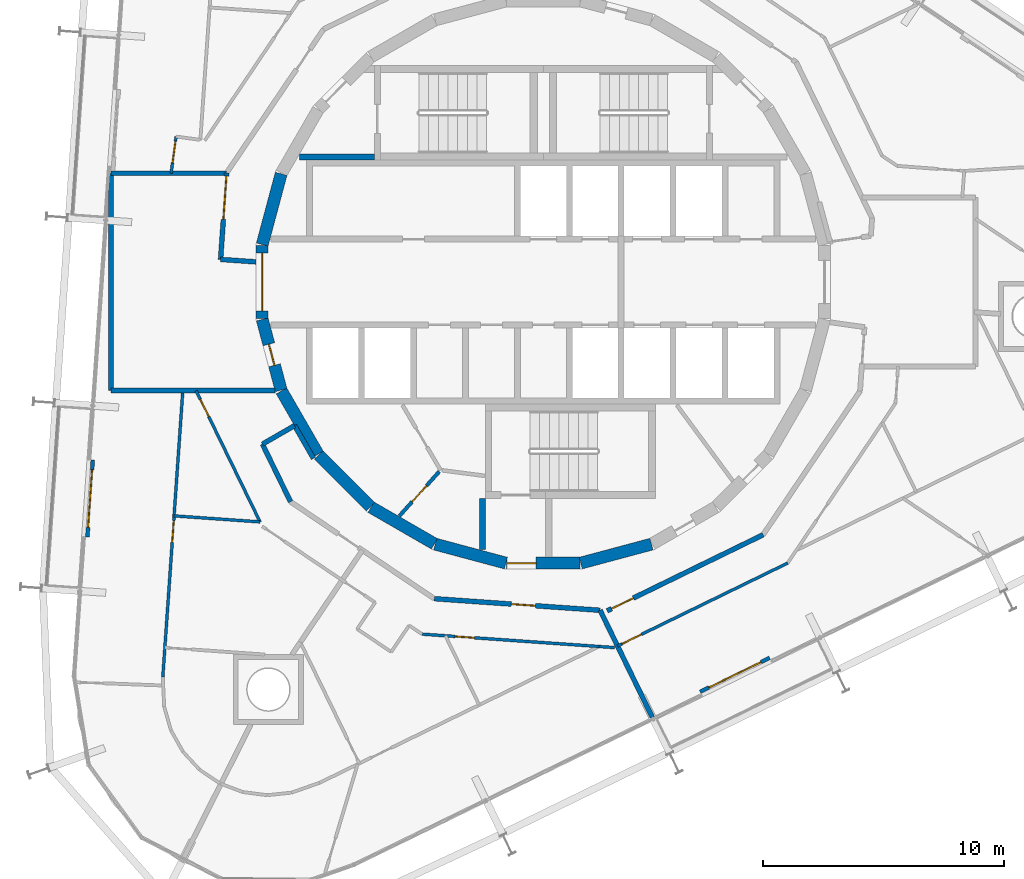
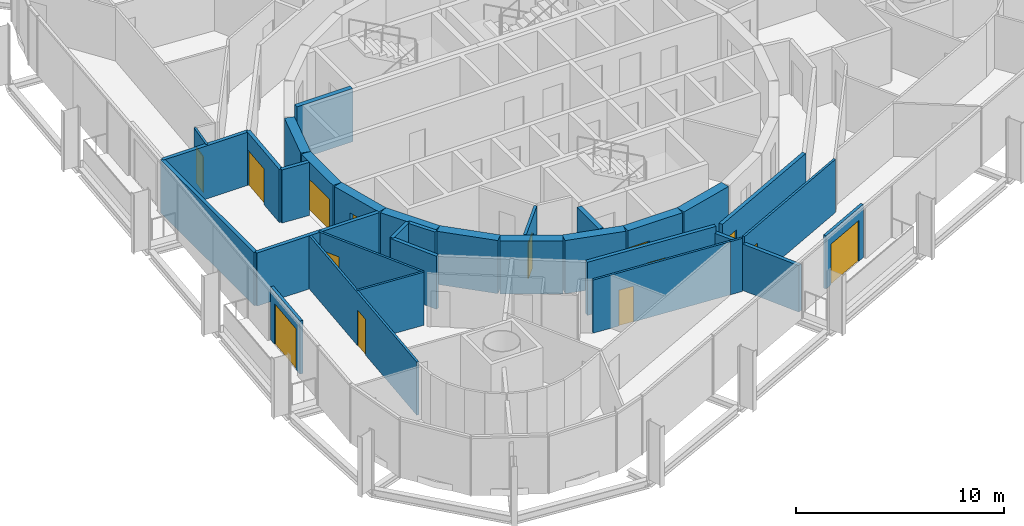
# One storey, part 12 of 18: 32 walls, 14 doors, 14 openings.
"""IFC4 building model written with IfcOpenShell, lengths in metres."""

import ifcopenshell
import ifcopenshell.guid

model = None  # the IFC model being written
_history = None  # IfcOwnerHistory: only IFC2X3 demands one
_inside = {}  # id of a spatial element -> (the spatial element, [elements in it])
_under = {}  # id of a project, library or spatial element -> (it, [spatial elements below it])
_declared = {}  # id of a project -> (the project, [libraries it declares])
_typed = {}  # id of a type object -> (the type object, [elements of that type])
_made_of = {}  # id of a material, layer set ... -> (it, [elements and type objects made of it])


def new_model(schema):
    """Start an empty IFC model of exactly this schema.

    Asked for "IFC4X3", IfcOpenShell would pick the latest addendum, in which some entities
    have other attributes; the version numbers below select the first issue.
    IFC2X3 requires an IfcOwnerHistory on every rooted entity: one is made here for all.
    """
    global model, _history
    if schema == "IFC4X3":
        model = ifcopenshell.file(schema_version=(4, 3, 0, 0))
    else:
        model = ifcopenshell.file(schema=schema)
    _inside.clear()
    _under.clear()
    _declared.clear()
    _typed.clear()
    _made_of.clear()
    _history = None
    if model.schema == "IFC2X3":
        org = make("IfcOrganization", Name="unknown")
        user = make(
            "IfcPersonAndOrganization",
            ThePerson=make("IfcPerson", FamilyName="unknown"),
            TheOrganization=org,
        )
        app = make(
            "IfcApplication",
            ApplicationDeveloper=org,
            Version="unknown",
            ApplicationFullName="unknown",
            ApplicationIdentifier="unknown",
        )
        _history = make(
            "IfcOwnerHistory",
            OwningUser=user,
            OwningApplication=app,
            ChangeAction="ADDED",
            CreationDate=0,
        )
    return model


def make(cls, **values):
    """One entity of the class cls with the attributes given. An attribute that is None is left unset."""
    return model.create_entity(
        cls, **{name: value for name, value in values.items() if value is not None}
    )


def rooted(cls, **values):
    """An entity with a GlobalId (a new one), such as an element, a storey or a relation."""
    return make(cls, GlobalId=ifcopenshell.guid.new(), OwnerHistory=_history, **values)


def si_unit(unit_type, name, prefix=None):
    """IfcSIUnit, for example si_unit("LENGTHUNIT", "METRE", prefix="MILLI")."""
    return make("IfcSIUnit", UnitType=unit_type, Prefix=prefix, Name=name)


def assignment(units):
    """IfcUnitAssignment: the units of a project."""
    return None if units is None else make("IfcUnitAssignment", Units=units)


def point(xyz):
    """IfcCartesianPoint."""
    return None if xyz is None else make("IfcCartesianPoint", Coordinates=xyz)


def direction(xyz):
    """IfcDirection."""
    return None if xyz is None else make("IfcDirection", DirectionRatios=xyz)


def frame(location, z_axis=None, x_axis=None):
    """IfcAxis2Placement3D, a coordinate frame: its origin and axes. An axis left out is left unset."""
    return make(
        "IfcAxis2Placement3D",
        Location=point(location),
        Axis=direction(z_axis),
        RefDirection=direction(x_axis),
    )


def frame_2d(location, x_axis=None):
    """IfcAxis2Placement2D, a coordinate frame in the plane: its origin and x axis."""
    return make(
        "IfcAxis2Placement2D", Location=point(location), RefDirection=direction(x_axis)
    )


def origin():
    """The frame at (0, 0, 0) with its axes left unset."""
    return frame((0.0, 0.0, 0.0))


def place(relative_to, where):
    """IfcLocalPlacement: puts the frame where relative to a parent placement (None: the world)."""
    return make(
        "IfcLocalPlacement", PlacementRelTo=relative_to, RelativePlacement=where
    )


def context(
    kind, dimensions, precision=None, world=None, true_north=None, identifier=None
):
    """IfcGeometricRepresentationContext, for example the 3D "Model" context."""
    return make(
        "IfcGeometricRepresentationContext",
        ContextIdentifier=identifier,
        ContextType=kind,
        CoordinateSpaceDimension=dimensions,
        Precision=precision,
        WorldCoordinateSystem=world,
        TrueNorth=true_north,
    )


def subcontext(parent, identifier, kind, view, scale=None):
    """IfcGeometricRepresentationSubContext, for example "Body" below "Model"."""
    return make(
        "IfcGeometricRepresentationSubContext",
        ContextIdentifier=identifier,
        ContextType=kind,
        ParentContext=parent,
        TargetScale=scale,
        TargetView=view,
    )


def project(units=None, contexts=None):
    """IfcProject with its units and contexts."""
    return rooted(
        "IfcProject",
        Name="project",
        RepresentationContexts=contexts,
        UnitsInContext=assignment(units),
    )


def spatial(cls, under=None, at=None, **own):
    """A site, building, storey or space (cls), placed at a placement, below another one or the project."""
    s = rooted(cls, ObjectPlacement=at, **own)
    if under is not None:
        _under.setdefault(under.id(), (under, []))[1].append(s)
    return s


def profile(cls, at=None, kind="AREA", **sizes):
    """A parametric profile (cls). Its sizes go by their IFC names, for example OverallWidth=200.0."""
    return make(cls, ProfileType=kind, Position=at, **sizes)


def rectangle(**sizes):
    """IfcRectangleProfileDef."""
    return profile("IfcRectangleProfileDef", **sizes)


def extrude(swept, where, along, depth):
    """IfcExtrudedAreaSolid: the profile swept, set in the frame where, extruded along a direction by depth."""
    return make(
        "IfcExtrudedAreaSolid",
        SweptArea=swept,
        Position=where,
        ExtrudedDirection=direction(along),
        Depth=depth,
    )


def shape(context_of_items, identifier, shape_type, items):
    """IfcShapeRepresentation: the items that make up one representation, for example the "Body"."""
    return make(
        "IfcShapeRepresentation",
        ContextOfItems=context_of_items,
        RepresentationIdentifier=identifier,
        RepresentationType=shape_type,
        Items=items,
    )


def material(Name=None, Category=None):
    """IfcMaterial."""
    return make("IfcMaterial", Name=Name, Category=Category)


def layer(
    of_material, thickness, ventilated=None, Name=None, Category=None, Priority=None
):
    """IfcMaterialLayer: one layer of a wall or slab, of a material (None: an air gap)."""
    return make(
        "IfcMaterialLayer",
        Material=of_material,
        LayerThickness=thickness,
        IsVentilated=ventilated,
        Name=Name,
        Category=Category,
        Priority=Priority,
    )


def layer_set(layers, Name=None):
    """IfcMaterialLayerSet."""
    return make("IfcMaterialLayerSet", MaterialLayers=layers, LayerSetName=Name)


def made_of(thing, what):
    """Note that an element or type object is made of a material, layer set ...; save() writes the relation."""
    if what is not None:
        _made_of.setdefault(what.id(), (what, []))[1].append(thing)
    return thing


def type_object(cls, material=None, **own):
    """A type object (cls), such as IfcWallType, which elements share."""
    return made_of(rooted(cls, **own), material)


def element(
    cls,
    number,
    at=None,
    inside=None,
    cuts=None,
    type_object=None,
    material=None,
    context=None,
    identifier="Body",
    shape_type=None,
    held_by="IfcProductDefinitionShape",
    body=None,
    shapes=None,
    **own,
):
    """One element of the class cls, such as IfcWall. Its Tag is "e" and its number.

    at: its placement. inside: the storey or other place that contains it. cuts: it is an
    opening in that element (IfcRelVoidsElement). A single representation is given by context,
    identifier, shape_type and body (its items); several are given by shapes. held_by: the class
    of the entity that holds the representations. save() writes the other relations.
    """
    e = rooted(cls, Tag="e%d" % number, ObjectPlacement=at, **own)
    if body is not None:
        shapes = [shape(context, identifier, shape_type, body)]
    if shapes is not None:
        e.Representation = make(held_by, Representations=shapes)
    if inside is not None:
        _inside.setdefault(inside.id(), (inside, []))[1].append(e)
    if cuts is not None:
        rooted(
            "IfcRelVoidsElement", RelatingBuildingElement=cuts, RelatedOpeningElement=e
        )
    if type_object is not None:
        _typed.setdefault(type_object.id(), (type_object, []))[1].append(e)
    return made_of(e, material)


def fill(opening, filler):
    """IfcRelFillsElement: the door or window that sits in an opening."""
    return rooted(
        "IfcRelFillsElement",
        RelatingOpeningElement=opening,
        RelatedBuildingElement=filler,
    )


def aggregate(whole, parts):
    """IfcRelAggregates: a whole, such as a stair, and the parts it consists of."""
    return rooted("IfcRelAggregates", RelatingObject=whole, RelatedObjects=parts)


def save(model, path):
    """Write the relations noted so far, then the file.

    IfcRelAggregates (storeys below a building ...), IfcRelContainedInSpatialStructure (elements
    in a storey), IfcRelDefinesByType, IfcRelAssociatesMaterial and IfcRelDeclares: one each for
    every whole, place, type object, material and project.
    """
    for whole, parts in _under.values():
        aggregate(whole, parts)
    for where, things in _inside.values():
        rooted(
            "IfcRelContainedInSpatialStructure",
            RelatedElements=things,
            RelatingStructure=where,
        )
    for kind, things in _typed.values():
        rooted("IfcRelDefinesByType", RelatedObjects=things, RelatingType=kind)
    for what, things in _made_of.values():
        rooted("IfcRelAssociatesMaterial", RelatedObjects=things, RelatingMaterial=what)
    for by, libraries in _declared.values():
        rooted("IfcRelDeclares", RelatingContext=by, RelatedDefinitions=libraries)
    model.write(path)


model = new_model("IFC4")

# Units and contexts
model_context = context("Model", 3, precision=1e-05, world=origin(), true_north=direction((0.0, 1.0)))
body_context = subcontext(model_context, "Body", "Model", "MODEL_VIEW")
ifc_project = project(units=[si_unit("LENGTHUNIT", "METRE"), si_unit("AREAUNIT", "SQUARE_METRE"), si_unit("VOLUMEUNIT", "CUBIC_METRE"), si_unit("PLANEANGLEUNIT", "RADIAN"), si_unit("MASSUNIT", "GRAM", prefix="KILO")], contexts=[model_context])

# Site, building, storey
site_placement = place(None, origin())
site = spatial("IfcSite", under=ifc_project, at=site_placement, CompositionType="ELEMENT")
building_placement = place(site_placement, origin())
building = spatial("IfcBuilding", under=site, at=building_placement, Name="Spindle Arch Residences", CompositionType="ELEMENT")
storey_placement = place(building_placement, frame((0.0, 0.0, 198.89990234375)))
storey = spatial("IfcBuildingStorey", under=building, at=storey_placement, Name="L50", CompositionType="ELEMENT", Elevation=198.89990234375)

# Walls
ifc_material_1 = material(Name="Concrete C50/60", Category="concrete")
ifc_layer_1 = layer(ifc_material_1, 0.5)
ifc_layer_set_1 = layer_set([ifc_layer_1], Name="Core outline wall 500")
wall_type_1 = type_object("IfcWallType", Name="Core outline wall 500", PredefinedType="SHEAR", material=ifc_layer_set_1)
for number, where, z_axis, x_axis, name in (
    (1, (1.5498046875, -11.642822265625, 0.0), (0.0, 0.0, 1.0), (0.965948410781, 0.258734743916, 0.0), "Core outline wall 1"),
    (2, (-10.858154296875, 4.479248046875, 0.0), (0.0, 0.0, 1.0), (-0.258734743916, -0.965948410781, 0.0), "Core outline wall 17"),
):
    element("IfcWall", number, at=place(storey_placement, frame(where, z_axis=z_axis, x_axis=x_axis)), inside=storey, type_object=wall_type_1, Name=name, PredefinedType="SHEAR", context=body_context, shape_type="SweptSolid", body=[
        extrude(rectangle(XDim=3.03271484375, YDim=0.5, at=frame_2d((1.516357421875, 0.0))), origin(), (0.0, 0.0, 1.0), 3.1201171875),
    ])

# Wall, opening, door
wall_1_placement = place(storey_placement, frame((-11.647216796875, 1.516357421875, 0.0), z_axis=(0.0, 0.0, 1.0), x_axis=(0.0, -1.0, 0.0)))
wall_1 = element("IfcWall", 3, at=wall_1_placement, inside=storey, type_object=wall_type_1, Name="Core outline wall 18", PredefinedType="SHEAR", context=body_context, shape_type="SweptSolid", body=[
    extrude(rectangle(XDim=3.03271484375, YDim=0.5, at=frame_2d((1.516357421875, 0.0))), origin(), (0.0, 0.0, 1.0), 3.1201171875),
])
opening_1_placement = place(wall_1_placement, frame((0.31640625, 0.0, 0.0)))
opening_1 = element("IfcOpeningElement", 4, at=opening_1_placement, cuts=wall_1, Name="Opening R5B1-LE01", PredefinedType="OPENING", context=body_context, shape_type="SweptSolid", body=[
    extrude(rectangle(XDim=2.39990234375, YDim=2.10009765625, at=frame_2d((1.199951171875, 1.050048828125))), frame((0.0, 0.260009765625, 0.0), z_axis=(0.0, -1.0, 0.0), x_axis=(1.0, 0.0, 0.0)), (0.0, 0.0, 1.0), 0.52001953125),
])
ifc_material_2 = material(Name="Steel, fire-resisting door", Category="steel")
door_type_1 = type_object("IfcDoorType", Name="Lift lobby entrance door 2400x2100", OperationType="DOUBLE_DOOR_SINGLE_SWING", PredefinedType="DOOR", material=ifc_material_2)
door_1_placement = place(opening_1_placement, origin())
door_1 = element("IfcDoor", 5, at=door_1_placement, inside=storey, type_object=door_type_1, Name="Lift lobby entrance door R5B1-LE01", OperationType="DOUBLE_DOOR_SINGLE_SWING", OverallHeight=2.10009765625, OverallWidth=2.39990234375, PredefinedType="DOOR", context=body_context, shape_type="SweptSolid", body=[
    extrude(rectangle(XDim=2.39990234375, YDim=2.10009765625, at=frame_2d((1.199951171875, 1.050048828125))), frame((0.0, 0.02490234375, 0.0), z_axis=(0.0, -1.0, 0.0), x_axis=(1.0, 0.0, 0.0)), (0.0, 0.0, 1.0), 0.050048828125),
])
fill(opening_1, door_1)

wall_2_placement = place(storey_placement, frame((-11.642822265625, -1.5498046875, 0.0), z_axis=(0.0, 0.0, 1.0), x_axis=(0.258734743916, -0.965948410781, 0.0)))
wall_2 = element("IfcWall", 6, at=wall_2_placement, inside=storey, type_object=wall_type_1, Name="Core outline wall 19", PredefinedType="SHEAR", context=body_context, shape_type="SweptSolid", body=[
    extrude(rectangle(XDim=3.03271484375, YDim=0.5, at=frame_2d((1.516357421875, 0.0))), origin(), (0.0, 0.0, 1.0), 3.1201171875),
])
opening_2_placement = place(wall_2_placement, frame((1.06640625, 0.0, 0.0)))
opening_2 = element("IfcOpeningElement", 7, at=opening_2_placement, cuts=wall_2, Name="Opening R5B1-WD10", PredefinedType="OPENING", context=body_context, shape_type="SweptSolid", body=[
    extrude(rectangle(XDim=0.89990234375, YDim=2.10009765625, at=frame_2d((0.449951171875, 1.050048828125))), frame((0.0, 0.260009765625, 0.0), z_axis=(0.0, -1.0, 0.0), x_axis=(1.0, 0.0, 0.0)), (0.0, 0.0, 1.0), 0.52001953125),
])
ifc_material_3 = material(Name="Steel, fire-resisting door", Category="steel")
door_type_2 = type_object("IfcDoorType", Name="Service room door 900x2100", OperationType="SINGLE_SWING_LEFT", PredefinedType="DOOR", material=ifc_material_3)
door_2_placement = place(opening_2_placement, origin())
door_2 = element("IfcDoor", 8, at=door_2_placement, inside=storey, type_object=door_type_2, Name="Service room door R5B1-WD10", OperationType="SINGLE_SWING_RIGHT", OverallHeight=2.10009765625, OverallWidth=0.89990234375, PredefinedType="DOOR", context=body_context, shape_type="SweptSolid", body=[
    extrude(rectangle(XDim=0.89990234375, YDim=2.10009765625, at=frame_2d((0.449951171875, 1.050048828125))), frame((0.0, 0.02490234375, 0.0), z_axis=(0.0, -1.0, 0.0), x_axis=(1.0, 0.0, 0.0)), (0.0, 0.0, 1.0), 0.050048828125),
])
fill(opening_2, door_2)

# Walls
wall_3_placement = place(storey_placement, frame((-10.84521484375, -4.510498046875, 0.0), z_axis=(0.0, 0.0, 1.0), x_axis=(0.500087131594, -0.865975092491, 0.0)))
element("IfcWall", 9, at=wall_3_placement, inside=storey, type_object=wall_type_1, Name="Core outline wall 20", PredefinedType="SHEAR", context=body_context, shape_type="SweptSolid", body=[
    extrude(rectangle(XDim=3.03271484375, YDim=0.5, at=frame_2d((1.516357421875, 0.0))), origin(), (0.0, 0.0, 1.0), 3.1201171875),
])
wall_4_placement = place(storey_placement, frame((-9.30810546875, -7.163818359375, 0.0), z_axis=(0.0, 0.0, 1.0), x_axis=(0.707106781187, -0.707106781187, 0.0)))
element("IfcWall", 10, at=wall_4_placement, inside=storey, type_object=wall_type_1, Name="Core outline wall 21", PredefinedType="SHEAR", context=body_context, shape_type="SweptSolid", body=[
    extrude(rectangle(XDim=3.032470703125, YDim=0.5, at=frame_2d((1.51611328125, 0.0))), origin(), (0.0, 0.0, 1.0), 3.1201171875),
])
for number, where, z_axis, x_axis, name in (
    (11, (-7.13671875, -9.32861328125, 0.0), (0.0, 0.0, 1.0), (0.865975092491, -0.500087131594, 0.0), "Core outline wall 22"),
    (12, (-4.479248046875, -10.858154296875, 0.0), (0.0, 0.0, 1.0), (0.965948410781, -0.258734743916, 0.0), "Core outline wall 23"),
):
    element("IfcWall", number, at=place(storey_placement, frame(where, z_axis=z_axis, x_axis=x_axis)), inside=storey, type_object=wall_type_1, Name=name, PredefinedType="SHEAR", context=body_context, shape_type="SweptSolid", body=[
        extrude(rectangle(XDim=3.03271484375, YDim=0.5, at=frame_2d((1.516357421875, 0.0))), origin(), (0.0, 0.0, 1.0), 3.1201171875),
    ])

# Wall, opening, door
wall_5_placement = place(storey_placement, frame((-1.516357421875, -11.647216796875, 0.0), z_axis=(0.0, 0.0, 1.0), x_axis=(1.0, 0.0, 0.0)))
wall_5 = element("IfcWall", 13, at=wall_5_placement, inside=storey, type_object=wall_type_1, Name="Core outline wall 24", PredefinedType="SHEAR", context=body_context, shape_type="SweptSolid", body=[
    extrude(rectangle(XDim=3.03271484375, YDim=0.5, at=frame_2d((1.516357421875, 0.0))), origin(), (0.0, 0.0, 1.0), 3.1201171875),
])
opening_3_placement = place(wall_5_placement, frame((0.016357421875, 0.0, 0.0)))
opening_3 = element("IfcOpeningElement", 14, at=opening_3_placement, cuts=wall_5, Name="Opening R5B1-AD03", PredefinedType="OPENING", context=body_context, shape_type="SweptSolid", body=[
    extrude(rectangle(XDim=1.199951171875, YDim=2.10009765625, at=frame_2d((0.60009765625, 1.050048828125))), frame((0.0, 0.260009765625, 0.0), z_axis=(0.0, -1.0, 0.0), x_axis=(1.0, 0.0, 0.0)), (0.0, 0.0, 1.0), 0.52001953125),
])
ifc_material_4 = material(Name="Steel, fire-resisting door", Category="steel")
door_type_3 = type_object("IfcDoorType", Name="Stair airlock door 1200x2100", OperationType="SINGLE_SWING_LEFT", PredefinedType="DOOR", material=ifc_material_4)
door_3_placement = place(opening_3_placement, origin())
door_3 = element("IfcDoor", 15, at=door_3_placement, inside=storey, type_object=door_type_3, Name="Stair airlock door R5B1-AD03", OperationType="SINGLE_SWING_RIGHT", OverallHeight=2.10009765625, OverallWidth=1.199951171875, PredefinedType="DOOR", context=body_context, shape_type="SweptSolid", body=[
    extrude(rectangle(XDim=1.199951171875, YDim=2.10009765625, at=frame_2d((0.60009765625, 1.050048828125))), frame((0.0, 0.02490234375, 0.0), z_axis=(0.0, -1.0, 0.0), x_axis=(1.0, 0.0, 0.0)), (0.0, 0.0, 1.0), 0.050048828125),
])
fill(opening_3, door_3)

# Walls
ifc_material_5 = material(Name="Calcium silicate block, plastered")
ifc_layer_2 = layer(ifc_material_5, 0.199951171875)
ifc_layer_set_2 = layer_set([ifc_layer_2], Name="Corridor wall 200")
wall_type_2 = type_object("IfcWallType", Name="Corridor wall 200", PredefinedType="STANDARD", material=ifc_layer_set_2)
wall_6_placement = place(storey_placement, frame((-10.303466796875, -5.94873046875, 0.0), z_axis=(0.0, 0.0, 1.0), x_axis=(-0.866042588199, -0.499970234539, 0.0)))
element("IfcWall", 16, at=wall_6_placement, inside=storey, type_object=wall_type_2, Name="Corridor wall R5B1-W015", PredefinedType="STANDARD", context=body_context, shape_type="SweptSolid", body=[
    extrude(rectangle(XDim=1.53515625, YDim=0.199951171875, at=frame_2d((0.767578125, 0.0))), origin(), (0.0, 0.0, 1.0), 3.1201171875),
])
wall_7_placement = place(storey_placement, frame((-11.633056640625, -6.71630859375, 0.0), z_axis=(0.0, 0.0, 1.0), x_axis=(0.438322116278, -0.898817958422, 0.0)))
element("IfcWall", 17, at=wall_7_placement, inside=storey, type_object=wall_type_2, Name="Corridor wall R5B1-W016", PredefinedType="STANDARD", context=body_context, shape_type="SweptSolid", body=[
    extrude(rectangle(XDim=2.653564453125, YDim=0.199951171875, at=frame_2d((1.32666015625, 0.0))), origin(), (0.0, 0.0, 1.0), 3.1201171875),
])
wall_8_placement = place(storey_placement, frame((-9.520263671875, -7.30517578125, 0.0), z_axis=(0.0, 0.0, 1.0), x_axis=(-0.500028278809, 0.866009076391, 0.0)))
element("IfcWall", 18, at=wall_8_placement, inside=storey, type_object=wall_type_2, Name="Corridor wall R5B1-W018", PredefinedType="STANDARD", context=body_context, shape_type="SweptSolid", body=[
    extrude(rectangle(XDim=1.56640625, YDim=0.199951171875, at=frame_2d((0.783203125, 0.0))), origin(), (0.0, 0.0, 1.0), 3.1201171875),
])

# Wall, opening, door
wall_9_placement = place(storey_placement, frame((-4.5166015625, -13.116943359375, 0.0), z_axis=(0.0, 0.0, 1.0), x_axis=(0.997564669554, -0.069747616856, 0.0)))
wall_9 = element("IfcWall", 19, at=wall_9_placement, inside=storey, type_object=wall_type_2, Name="Corridor wall R5B1-W019", PredefinedType="STANDARD", context=body_context, shape_type="SweptSolid", body=[
    extrude(rectangle(XDim=6.88525390625, YDim=0.199951171875, at=frame_2d((3.442626953125, 0.0))), origin(), (0.0, 0.0, 1.0), 3.1201171875),
])
opening_4_placement = place(wall_9_placement, frame((3.199951171875, 0.0, 0.0)))
opening_4 = element("IfcOpeningElement", 20, at=opening_4_placement, cuts=wall_9, Name="Opening R5B1-FD05", PredefinedType="OPENING", context=body_context, shape_type="SweptSolid", body=[
    extrude(rectangle(XDim=1.0, YDim=2.10009765625, at=frame_2d((0.5, 1.050048828125))), frame((0.0, 0.10986328125, 0.0), z_axis=(0.0, -1.0, 0.0), x_axis=(1.0, 0.0, 0.0)), (0.0, 0.0, 1.0), 0.219970703125),
])
ifc_material_6 = material(Name="Timber, fire-resisting door set", Category="wood")
door_type_4 = type_object("IfcDoorType", Name="Flat entrance door 1000x2100", OperationType="NOTDEFINED", PredefinedType="DOOR", material=ifc_material_6)
door_4_placement = place(opening_4_placement, origin())
door_4 = element("IfcDoor", 21, at=door_4_placement, inside=storey, type_object=door_type_4, Name="Flat entrance door R5B1-FD05", OperationType="SINGLE_SWING_LEFT", OverallHeight=2.10009765625, OverallWidth=1.0, PredefinedType="DOOR", context=body_context, shape_type="SweptSolid", body=[
    extrude(rectangle(XDim=1.0, YDim=2.10009765625, at=frame_2d((0.5, 1.050048828125))), frame((0.0, 0.02490234375, 0.0), z_axis=(0.0, -1.0, 0.0), x_axis=(1.0, 0.0, 0.0)), (0.0, 0.0, 1.0), 0.050048828125),
])
fill(opening_4, door_4)

wall_10_placement = place(storey_placement, frame((2.64697265625, -13.617919921875, 0.0), z_axis=(0.0, 0.0, 1.0), x_axis=(0.898796543751, 0.438366026218, 0.0)))
wall_10 = element("IfcWall", 22, at=wall_10_placement, inside=storey, type_object=wall_type_2, Name="Corridor wall R5B1-W020", PredefinedType="STANDARD", context=body_context, shape_type="SweptSolid", body=[
    extrude(rectangle(XDim=7.18115234375, YDim=0.199951171875, at=frame_2d((3.590576171875, 0.0))), origin(), (0.0, 0.0, 1.0), 3.1201171875),
])
opening_5_placement = place(wall_10_placement, frame((0.199951171875, 0.0, 0.0)))
opening_5 = element("IfcOpeningElement", 23, at=opening_5_placement, cuts=wall_10, Name="Opening R5B1-FD06", PredefinedType="OPENING", context=body_context, shape_type="SweptSolid", body=[
    extrude(rectangle(XDim=1.0, YDim=2.10009765625, at=frame_2d((0.5, 1.050048828125))), frame((0.0, 0.10986328125, 0.0), z_axis=(0.0, -1.0, 0.0), x_axis=(1.0, 0.0, 0.0)), (0.0, 0.0, 1.0), 0.219970703125),
])
door_5_placement = place(opening_5_placement, origin())
door_5 = element("IfcDoor", 24, at=door_5_placement, inside=storey, type_object=door_type_4, Name="Flat entrance door R5B1-FD06", OperationType="SINGLE_SWING_LEFT", OverallHeight=2.10009765625, OverallWidth=1.0, PredefinedType="DOOR", context=body_context, shape_type="SweptSolid", body=[
    extrude(rectangle(XDim=1.0, YDim=2.10009765625, at=frame_2d((0.5, 1.050048828125))), frame((0.0, 0.02490234375, 0.0), z_axis=(0.0, -1.0, 0.0), x_axis=(1.0, 0.0, 0.0)), (0.0, 0.0, 1.0), 0.050048828125),
])
fill(opening_5, door_5)

ifc_material_7 = material(Name="Plasterboard on steel studs", Category="steel")
ifc_layer_3 = layer(ifc_material_7, 0.1201171875)
ifc_layer_set_3 = layer_set([ifc_layer_3], Name="Flat partition 120")
wall_type_3 = type_object("IfcWallType", Name="Flat partition 120", PredefinedType="PARTITIONING", material=ifc_layer_set_3)
wall_11_placement = place(storey_placement, frame((-15.20947265625, 6.022216796875, 0.0), z_axis=(0.0, 0.0, 1.0), x_axis=(-0.134453604943, -0.990919889859, 0.0)))
wall_11 = element("IfcWall", 25, at=wall_11_placement, inside=storey, type_object=wall_type_3, Name="Flat partition R5B1-W066", PredefinedType="PARTITIONING", context=body_context, shape_type="SweptSolid", body=[
    extrude(rectangle(XDim=1.5361328125, YDim=0.1201171875, at=frame_2d((0.76806640625, 0.0))), origin(), (0.0, 0.0, 1.0), 3.1201171875),
])
opening_6_placement = place(wall_11_placement, frame((0.199951171875, 0.0, 0.0)))
opening_6 = element("IfcOpeningElement", 26, at=opening_6_placement, cuts=wall_11, Name="Opening R5B1-ID11", PredefinedType="OPENING", context=body_context, shape_type="SweptSolid", body=[
    extrude(rectangle(XDim=0.89990234375, YDim=2.10009765625, at=frame_2d((0.449951171875, 1.050048828125))), frame((0.0, 0.070068359375, 0.0), z_axis=(0.0, -1.0, 0.0), x_axis=(1.0, 0.0, 0.0)), (0.0, 0.0, 1.0), 0.14013671875),
])
ifc_material_8 = material(Name="Timber door set", Category="wood")
door_type_5 = type_object("IfcDoorType", Name="Room door 900x2100", OperationType="NOTDEFINED", PredefinedType="DOOR", material=ifc_material_8)
door_6_placement = place(opening_6_placement, origin())
door_6 = element("IfcDoor", 27, at=door_6_placement, inside=storey, type_object=door_type_5, Name="Room door R5B1-ID11", OperationType="SINGLE_SWING_LEFT", OverallHeight=2.10009765625, OverallWidth=0.89990234375, PredefinedType="DOOR", context=body_context, shape_type="SweptSolid", body=[
    extrude(rectangle(XDim=0.89990234375, YDim=2.10009765625, at=frame_2d((0.449951171875, 1.050048828125))), frame((0.0, 0.02490234375, 0.0), z_axis=(0.0, -1.0, 0.0), x_axis=(1.0, 0.0, 0.0)), (0.0, 0.0, 1.0), 0.050048828125),
])
fill(opening_6, door_6)

wall_12_placement = place(storey_placement, frame((-14.383056640625, -4.5, 0.0), z_axis=(0.0, 0.0, 1.0), x_axis=(0.438393414895, -0.898783185077, 0.0)))
wall_12 = element("IfcWall", 28, at=wall_12_placement, inside=storey, type_object=wall_type_3, Name="Flat partition R5B1-W076", PredefinedType="PARTITIONING", context=body_context, shape_type="SweptSolid", body=[
    extrude(rectangle(XDim=6.049072265625, YDim=0.1201171875, at=frame_2d((3.0244140625, 0.0))), origin(), (0.0, 0.0, 1.0), 3.1201171875),
])
opening_7_placement = place(wall_12_placement, frame((0.39990234375, 0.0, 0.0)))
opening_7 = element("IfcOpeningElement", 29, at=opening_7_placement, cuts=wall_12, Name="Opening R5B1-BD04", PredefinedType="OPENING", context=body_context, shape_type="SweptSolid", body=[
    extrude(rectangle(XDim=0.800048828125, YDim=2.10009765625, at=frame_2d((0.39990234375, 1.050048828125))), frame((0.0, 0.070068359375, 0.0), z_axis=(0.0, -1.0, 0.0), x_axis=(1.0, 0.0, 0.0)), (0.0, 0.0, 1.0), 0.14013671875),
])
ifc_material_9 = material(Name="Timber door set", Category="wood")
door_type_6 = type_object("IfcDoorType", Name="Bathroom door 800x2100", OperationType="NOTDEFINED", PredefinedType="DOOR", material=ifc_material_9)
door_7_placement = place(opening_7_placement, origin())
door_7 = element("IfcDoor", 30, at=door_7_placement, inside=storey, type_object=door_type_6, Name="Bathroom door R5B1-BD04", OperationType="SINGLE_SWING_RIGHT", OverallHeight=2.10009765625, OverallWidth=0.800048828125, PredefinedType="DOOR", context=body_context, shape_type="SweptSolid", body=[
    extrude(rectangle(XDim=0.800048828125, YDim=2.10009765625, at=frame_2d((0.39990234375, 1.050048828125))), frame((0.0, 0.02490234375, 0.0), z_axis=(0.0, -1.0, 0.0), x_axis=(1.0, 0.0, 0.0)), (0.0, 0.0, 1.0), 0.050048828125),
])
fill(opening_7, door_7)

wall_13_placement = place(storey_placement, frame((-14.930908203125, -4.5, 0.0), z_axis=(0.0, 0.0, 1.0), x_axis=(-0.069751708439, -0.997564383471, 0.0)))
wall_13 = element("IfcWall", 31, at=wall_13_placement, inside=storey, type_object=wall_type_3, Name="Flat partition R5B1-W078", PredefinedType="PARTITIONING", context=body_context, shape_type="SweptSolid", body=[
    extrude(rectangle(XDim=11.8935546875, YDim=0.1201171875, at=frame_2d((5.94677734375, 0.0))), origin(), (0.0, 0.0, 1.0), 3.1201171875),
])
opening_8_placement = place(wall_13_placement, frame((5.400390625, 0.0, 0.0)))
opening_8 = element("IfcOpeningElement", 32, at=opening_8_placement, cuts=wall_13, Name="Opening R5B1-ID15", PredefinedType="OPENING", context=body_context, shape_type="SweptSolid", body=[
    extrude(rectangle(XDim=0.89990234375, YDim=2.10009765625, at=frame_2d((0.449951171875, 1.050048828125))), frame((0.0, 0.070068359375, 0.0), z_axis=(0.0, -1.0, 0.0), x_axis=(1.0, 0.0, 0.0)), (0.0, 0.0, 1.0), 0.14013671875),
])
door_8_placement = place(opening_8_placement, origin())
door_8 = element("IfcDoor", 33, at=door_8_placement, inside=storey, type_object=door_type_5, Name="Room door R5B1-ID15", OperationType="SINGLE_SWING_RIGHT", OverallHeight=2.10009765625, OverallWidth=0.89990234375, PredefinedType="DOOR", context=body_context, shape_type="SweptSolid", body=[
    extrude(rectangle(XDim=0.89990234375, YDim=2.10009765625, at=frame_2d((0.449951171875, 1.050048828125))), frame((0.0, 0.02490234375, 0.0), z_axis=(0.0, -1.0, 0.0), x_axis=(1.0, 0.0, 0.0)), (0.0, 0.0, 1.0), 0.050048828125),
])
fill(opening_8, door_8)

# Wall
wall_14_placement = place(storey_placement, frame((-15.293701171875, -9.687744140625, 0.0), z_axis=(0.0, 0.0, 1.0), x_axis=(0.997565819809, -0.069731163391, 0.0)))
element("IfcWall", 34, at=wall_14_placement, inside=storey, type_object=wall_type_3, Name="Flat partition R5B1-W079", PredefinedType="PARTITIONING", context=body_context, shape_type="SweptSolid", body=[
    extrude(rectangle(XDim=3.5712890625, YDim=0.1201171875, at=frame_2d((1.78564453125, 0.0))), origin(), (0.0, 0.0, 1.0), 3.1201171875),
])

# Wall, opening, door
wall_15_placement = place(storey_placement, frame((-5.022216796875, -14.585205078125, 0.0), z_axis=(0.0, 0.0, 1.0), x_axis=(0.997564196041, -0.06975438895, 0.0)))
wall_15 = element("IfcWall", 35, at=wall_15_placement, inside=storey, type_object=wall_type_3, Name="Flat partition R5B1-W091", PredefinedType="PARTITIONING", context=body_context, shape_type="SweptSolid", body=[
    extrude(rectangle(XDim=7.346435546875, YDim=0.1201171875, at=frame_2d((3.67333984375, 0.0))), origin(), (0.0, 0.0, 1.0), 3.1201171875),
])
opening_9_placement = place(wall_15_placement, frame((1.370361328125, 0.0, 0.0)))
opening_9 = element("IfcOpeningElement", 36, at=opening_9_placement, cuts=wall_15, Name="Opening R5B1-BD05", PredefinedType="OPENING", context=body_context, shape_type="SweptSolid", body=[
    extrude(rectangle(XDim=0.800048828125, YDim=2.10009765625, at=frame_2d((0.39990234375, 1.050048828125))), frame((0.0, 0.070068359375, 0.0), z_axis=(0.0, -1.0, 0.0), x_axis=(1.0, 0.0, 0.0)), (0.0, 0.0, 1.0), 0.14013671875),
])
door_9_placement = place(opening_9_placement, origin())
door_9 = element("IfcDoor", 37, at=door_9_placement, inside=storey, type_object=door_type_6, Name="Bathroom door R5B1-BD05", OperationType="SINGLE_SWING_LEFT", OverallHeight=2.10009765625, OverallWidth=0.800048828125, PredefinedType="DOOR", context=body_context, shape_type="SweptSolid", body=[
    extrude(rectangle(XDim=0.800048828125, YDim=2.10009765625, at=frame_2d((0.39990234375, 1.050048828125))), frame((0.0, 0.02490234375, 0.0), z_axis=(0.0, -1.0, 0.0), x_axis=(1.0, 0.0, 0.0)), (0.0, 0.0, 1.0), 0.050048828125),
])
fill(opening_9, door_9)

# Wall
wall_16_placement = place(storey_placement, frame((2.306396484375, -15.09765625, 0.0), z_axis=(0.0, 0.0, 1.0), x_axis=(0.99757571817, -0.069589413839, 0.0)))
element("IfcWall", 38, at=wall_16_placement, inside=storey, type_object=wall_type_3, Name="Flat partition R5B1-W092", PredefinedType="PARTITIONING", context=body_context, shape_type="SweptSolid", body=[
    extrude(rectangle(XDim=0.638427734375, YDim=0.1201171875, at=frame_2d((0.3193359375, 0.0))), origin(), (0.0, 0.0, 1.0), 3.1201171875),
])

# Wall, opening, door
wall_17_placement = place(storey_placement, frame((3.07421875, -15.078369140625, 0.0), z_axis=(0.0, 0.0, 1.0), x_axis=(0.898793586225, 0.43837209008, 0.0)))
wall_17 = element("IfcWall", 39, at=wall_17_placement, inside=storey, type_object=wall_type_3, Name="Flat partition R5B1-W101", PredefinedType="PARTITIONING", context=body_context, shape_type="SweptSolid", body=[
    extrude(rectangle(XDim=7.83935546875, YDim=0.1201171875, at=frame_2d((3.919677734375, 0.0))), origin(), (0.0, 0.0, 1.0), 3.1201171875),
])
opening_10_placement = place(wall_17_placement, frame((0.199951171875, 0.0, 0.0)))
opening_10 = element("IfcOpeningElement", 40, at=opening_10_placement, cuts=wall_17, Name="Opening R5B1-ID22", PredefinedType="OPENING", context=body_context, shape_type="SweptSolid", body=[
    extrude(rectangle(XDim=0.89990234375, YDim=2.10009765625, at=frame_2d((0.449951171875, 1.050048828125))), frame((0.0, 0.070068359375, 0.0), z_axis=(0.0, -1.0, 0.0), x_axis=(1.0, 0.0, 0.0)), (0.0, 0.0, 1.0), 0.14013671875),
])
door_10_placement = place(opening_10_placement, origin())
door_10 = element("IfcDoor", 41, at=door_10_placement, inside=storey, type_object=door_type_5, Name="Room door R5B1-ID22", OperationType="SINGLE_SWING_LEFT", OverallHeight=2.10009765625, OverallWidth=0.89990234375, PredefinedType="DOOR", context=body_context, shape_type="SweptSolid", body=[
    extrude(rectangle(XDim=0.89990234375, YDim=2.10009765625, at=frame_2d((0.449951171875, 1.050048828125))), frame((0.0, 0.02490234375, 0.0), z_axis=(0.0, -1.0, 0.0), x_axis=(1.0, 0.0, 0.0)), (0.0, 0.0, 1.0), 0.050048828125),
])
fill(opening_10, door_10)

# Wall
ifc_material_10 = material(Name="Calcium silicate block, plastered")
ifc_layer_4 = layer(ifc_material_10, 0.199951171875)
ifc_layer_set_4 = layer_set([ifc_layer_4], Name="Flat party wall 200 under beam 2730")
wall_type_4 = type_object("IfcWallType", Name="Flat party wall 200 under beam 2730", PredefinedType="STANDARD", material=ifc_layer_set_4)
wall_18_placement = place(storey_placement, frame((4.512451171875, -18.027099609375, 0.0), z_axis=(0.0, 0.0, 1.0), x_axis=(-0.438374835386, 0.898792247241, 0.0)))
element("IfcWall", 42, at=wall_18_placement, inside=storey, type_object=wall_type_4, Name="Flat party wall R5B1-W037", PredefinedType="STANDARD", context=body_context, shape_type="SweptSolid", body=[
    extrude(rectangle(XDim=4.9287109375, YDim=0.199951171875, at=frame_2d((2.46435546875, 0.0))), origin(), (0.0, 0.0, 1.0), 2.72998046875),
])

# Wall, opening, door
ifc_material_11 = material(Name="Non-combustible mineral wool insulated aluminium faced external wall (K0)", Category="aluminium")
ifc_layer_5 = layer(ifc_material_11, 0.159912109375)
ifc_layer_set_5 = layer_set([ifc_layer_5], Name="Insulated external wall panel 160")
wall_type_5 = type_object("IfcWallType", Name="Insulated external wall panel 160", PredefinedType="STANDARD", material=ifc_layer_set_5)
wall_19_placement = place(storey_placement, frame((-18.66064453125, -7.37451171875, 0.0), z_axis=(0.0, 0.0, 1.0), x_axis=(-0.069734222855, -0.997565605944, 0.0)))
wall_19 = element("IfcWall", 43, at=wall_19_placement, inside=storey, type_object=wall_type_5, Name="External wall L50 bay 16", PredefinedType="STANDARD", context=body_context, shape_type="SweptSolid", body=[
    extrude(rectangle(XDim=3.199951171875, YDim=0.159912109375, at=frame_2d((1.60009765625, 0.0))), origin(), (0.0, 0.0, 1.0), 3.1201171875),
])
opening_11_placement = place(wall_19_placement, frame((0.39990234375, 0.0, 0.0)))
opening_11 = element("IfcOpeningElement", 44, at=opening_11_placement, cuts=wall_19, Name="Opening BD16", PredefinedType="OPENING", context=body_context, shape_type="SweptSolid", body=[
    extrude(rectangle(XDim=2.39990234375, YDim=2.39990234375, at=frame_2d((1.199951171875, 1.199951171875))), frame((0.0, 0.08984375, 0.0), z_axis=(0.0, -1.0, 0.0), x_axis=(1.0, 0.0, 0.0)), (0.0, 0.0, 1.0), 0.179931640625),
])
ifc_material_12 = material(Name="Bronze aluminium frame, tinted double glazing", Category="aluminium")
door_type_7 = type_object("IfcDoorType", Name="Sliding glazed balcony door 2400x2400", OperationType="DOUBLE_DOOR_SLIDING", PredefinedType="DOOR", material=ifc_material_12)
door_11_placement = place(opening_11_placement, origin())
door_11 = element("IfcDoor", 45, at=door_11_placement, inside=storey, type_object=door_type_7, Name="Balcony door BD16", OperationType="DOUBLE_DOOR_SLIDING", OverallHeight=2.39990234375, OverallWidth=2.39990234375, PredefinedType="DOOR", context=body_context, shape_type="SweptSolid", body=[
    extrude(rectangle(XDim=2.39990234375, YDim=2.39990234375, at=frame_2d((1.199951171875, 1.199951171875))), frame((0.0, 0.02490234375, 0.0), z_axis=(0.0, -1.0, 0.0), x_axis=(1.0, 0.0, 0.0)), (0.0, 0.0, 1.0), 0.050048828125),
])
fill(opening_11, door_11)

wall_20_placement = place(storey_placement, frame((6.496826171875, -16.97021484375, 0.0), z_axis=(0.0, 0.0, 1.0), x_axis=(0.898778711213, 0.43840258698, 0.0)))
wall_20 = element("IfcWall", 46, at=wall_20_placement, inside=storey, type_object=wall_type_5, Name="External wall L50 bay 22", PredefinedType="STANDARD", context=body_context, shape_type="SweptSolid", body=[
    extrude(rectangle(XDim=3.199951171875, YDim=0.159912109375, at=frame_2d((1.60009765625, 0.0))), origin(), (0.0, 0.0, 1.0), 3.1201171875),
])
opening_12_placement = place(wall_20_placement, frame((0.39990234375, 0.0, 0.0)))
opening_12 = element("IfcOpeningElement", 47, at=opening_12_placement, cuts=wall_20, Name="Opening BD22", PredefinedType="OPENING", context=body_context, shape_type="SweptSolid", body=[
    extrude(rectangle(XDim=2.39990234375, YDim=2.39990234375, at=frame_2d((1.199951171875, 1.199951171875))), frame((0.0, 0.08984375, 0.0), z_axis=(0.0, -1.0, 0.0), x_axis=(1.0, 0.0, 0.0)), (0.0, 0.0, 1.0), 0.179931640625),
])
door_12_placement = place(opening_12_placement, origin())
door_12 = element("IfcDoor", 48, at=door_12_placement, inside=storey, type_object=door_type_7, Name="Balcony door BD22", OperationType="DOUBLE_DOOR_SLIDING", OverallHeight=2.39990234375, OverallWidth=2.39990234375, PredefinedType="DOOR", context=body_context, shape_type="SweptSolid", body=[
    extrude(rectangle(XDim=2.39990234375, YDim=2.39990234375, at=frame_2d((1.199951171875, 1.199951171875))), frame((0.0, 0.02490234375, 0.0), z_axis=(0.0, -1.0, 0.0), x_axis=(1.0, 0.0, 0.0)), (0.0, 0.0, 1.0), 0.050048828125),
])
fill(opening_12, door_12)

ifc_material_13 = material(Name="Calcium silicate block, plastered")
ifc_layer_6 = layer(ifc_material_13, 0.199951171875)
ifc_layer_set_6 = layer_set([ifc_layer_6], Name="Lift lobby bay wall 200")
wall_type_6 = type_object("IfcWallType", Name="Lift lobby bay wall 200", PredefinedType="STANDARD", material=ifc_layer_set_6)
wall_21_placement = place(storey_placement, frame((-13.116943359375, 4.5166015625, 0.0), z_axis=(0.0, 0.0, 1.0), x_axis=(-0.069763493417, -0.997563559372, 0.0)))
wall_21 = element("IfcWall", 49, at=wall_21_placement, inside=storey, type_object=wall_type_6, Name="Lift lobby bay wall R5B1-W008", PredefinedType="STANDARD", context=body_context, shape_type="SweptSolid", body=[
    extrude(rectangle(XDim=3.590576171875, YDim=0.199951171875, at=frame_2d((1.79541015625, 0.0))), origin(), (0.0, 0.0, 1.0), 3.1201171875),
])
opening_13_placement = place(wall_21_placement, frame((0.131591796875, 0.0, 0.0)))
opening_13 = element("IfcOpeningElement", 50, at=opening_13_placement, cuts=wall_21, Name="Opening R5B1-LB01", PredefinedType="OPENING", context=body_context, shape_type="SweptSolid", body=[
    extrude(rectangle(XDim=1.800048828125, YDim=2.10009765625, at=frame_2d((0.89990234375, 1.050048828125))), frame((0.0, 0.10986328125, 0.0), z_axis=(0.0, -1.0, 0.0), x_axis=(1.0, 0.0, 0.0)), (0.0, 0.0, 1.0), 0.219970703125),
])
ifc_material_14 = material(Name="Steel, fire-resisting door", Category="steel")
door_type_8 = type_object("IfcDoorType", Name="Lift lobby bay door 1800x2100", OperationType="NOTDEFINED", PredefinedType="DOOR", material=ifc_material_14)
door_13_placement = place(opening_13_placement, origin())
door_13 = element("IfcDoor", 51, at=door_13_placement, inside=storey, type_object=door_type_8, Name="Lift lobby bay door R5B1-LB01", OperationType="DOUBLE_DOOR_SINGLE_SWING", OverallHeight=2.10009765625, OverallWidth=1.800048828125, PredefinedType="DOOR", context=body_context, shape_type="SweptSolid", body=[
    extrude(rectangle(XDim=1.800048828125, YDim=2.10009765625, at=frame_2d((0.89990234375, 1.050048828125))), frame((0.0, 0.02490234375, 0.0), z_axis=(0.0, -1.0, 0.0), x_axis=(1.0, 0.0, 0.0)), (0.0, 0.0, 1.0), 0.050048828125),
])
fill(opening_13, door_13)

# Walls
wall_22_placement = place(storey_placement, frame((-13.367431640625, 0.934814453125, 0.0), z_axis=(0.0, 0.0, 1.0), x_axis=(0.997553656289, -0.069904955655, 0.0)))
element("IfcWall", 52, at=wall_22_placement, inside=storey, type_object=wall_type_6, Name="Lift lobby bay wall R5B1-W009", PredefinedType="STANDARD", context=body_context, shape_type="SweptSolid", body=[
    extrude(rectangle(XDim=1.473876953125, YDim=0.199951171875, at=frame_2d((0.73681640625, 0.0))), origin(), (0.0, 0.0, 1.0), 3.1201171875),
])
wall_23_placement = place(storey_placement, frame((-13.1181640625, 4.5, 0.0), z_axis=(0.0, 0.0, 1.0), x_axis=(-1.0, 0.0, 0.0)))
element("IfcWall", 53, at=wall_23_placement, inside=storey, type_object=wall_type_6, Name="Lift lobby bay wall R5B1-W022", PredefinedType="STANDARD", context=body_context, shape_type="SweptSolid", body=[
    extrude(rectangle(XDim=4.78173828125, YDim=0.199951171875, at=frame_2d((2.390869140625, 0.0))), origin(), (0.0, 0.0, 1.0), 3.1201171875),
])
wall_24_placement = place(storey_placement, frame((-17.89990234375, 4.5, 0.0), z_axis=(0.0, 0.0, 1.0), x_axis=(0.0, -1.0, 0.0)))
element("IfcWall", 54, at=wall_24_placement, inside=storey, type_object=wall_type_6, Name="Lift lobby bay wall R5B1-W023", PredefinedType="STANDARD", context=body_context, shape_type="SweptSolid", body=[
    extrude(rectangle(XDim=9.0, YDim=0.199951171875, at=frame_2d((4.5, 0.0))), origin(), (0.0, 0.0, 1.0), 3.1201171875),
])
wall_25_placement = place(storey_placement, frame((-17.89990234375, -4.5, 0.0), z_axis=(0.0, 0.0, 1.0), x_axis=(1.0, 0.0, 0.0)))
element("IfcWall", 55, at=wall_25_placement, inside=storey, type_object=wall_type_6, Name="Lift lobby bay wall R5B1-W024", PredefinedType="STANDARD", context=body_context, shape_type="SweptSolid", body=[
    extrude(rectangle(XDim=6.78857421875, YDim=0.199951171875, at=frame_2d((3.394287109375, 0.0))), origin(), (0.0, 0.0, 1.0), 3.1201171875),
])

# Wall, opening, door
ifc_material_15 = material(Name="Concrete C25/30", Category="concrete")
ifc_layer_7 = layer(ifc_material_15, 0.14990234375)
ifc_layer_set_7 = layer_set([ifc_layer_7], Name="Service room partition 150")
wall_type_7 = type_object("IfcWallType", Name="Service room partition 150", PredefinedType="PARTITIONING", material=ifc_layer_set_7)
wall_26_placement = place(storey_placement, frame((-4.310791015625, -7.85107421875, 0.0), z_axis=(0.0, 0.0, 1.0), x_axis=(-0.667869133096, -0.744278725383, 0.0)))
wall_26 = element("IfcWall", 56, at=wall_26_placement, inside=storey, type_object=wall_type_7, Name="Core service room partition", PredefinedType="PARTITIONING", context=body_context, shape_type="SweptSolid", body=[
    extrude(rectangle(XDim=2.476318359375, YDim=0.14990234375, at=frame_2d((1.23828125, 0.0))), origin(), (0.0, 0.0, 1.0), 3.1201171875),
])
opening_14_placement = place(wall_26_placement, frame((0.7880859375, 0.0, 0.0)))
opening_14 = element("IfcOpeningElement", 57, at=opening_14_placement, cuts=wall_26, Name="Opening R5B1-WD06", PredefinedType="OPENING", context=body_context, shape_type="SweptSolid", body=[
    extrude(rectangle(XDim=0.89990234375, YDim=2.10009765625, at=frame_2d((0.449951171875, 1.050048828125))), frame((0.0, 0.0849609375, 0.0), z_axis=(0.0, -1.0, 0.0), x_axis=(1.0, 0.0, 0.0)), (0.0, 0.0, 1.0), 0.169921875),
])
door_14_placement = place(opening_14_placement, origin())
door_14 = element("IfcDoor", 58, at=door_14_placement, inside=storey, type_object=door_type_2, Name="Service room door R5B1-WD06", OperationType="SINGLE_SWING_RIGHT", OverallHeight=2.10009765625, OverallWidth=0.89990234375, PredefinedType="DOOR", context=body_context, shape_type="SweptSolid", body=[
    extrude(rectangle(XDim=0.89990234375, YDim=2.10009765625, at=frame_2d((0.449951171875, 1.050048828125))), frame((0.0, 0.02490234375, 0.0), z_axis=(0.0, -1.0, 0.0), x_axis=(1.0, 0.0, 0.0)), (0.0, 0.0, 1.0), 0.050048828125),
])
fill(opening_14, door_14)

# Walls
ifc_material_16 = material(Name="Concrete C40/50", Category="concrete")
ifc_layer_8 = layer(ifc_material_16, 0.25)
ifc_layer_set_8 = layer_set([ifc_layer_8], Name="Stair airlock wall 250")
wall_type_8 = type_object("IfcWallType", Name="Stair airlock wall 250", PredefinedType="SHEAR", material=ifc_layer_set_8)
wall_27_placement = place(storey_placement, frame((-7.0, 5.175048828125, 0.0), z_axis=(0.0, 0.0, 1.0), x_axis=(-1.0, 0.0, 0.0)))
element("IfcWall", 59, at=wall_27_placement, inside=storey, type_object=wall_type_8, Name="Stair ST-2 airlock wall S", PredefinedType="SHEAR", context=body_context, shape_type="SweptSolid", body=[
    extrude(rectangle(XDim=3.10009765625, YDim=0.25, at=frame_2d((1.550048828125, 0.0))), origin(), (0.0, 0.0, 1.0), 3.1201171875),
])
wall_28_placement = place(storey_placement, frame((-2.52490234375, -8.969970703125, 0.0), z_axis=(0.0, 0.0, 1.0), x_axis=(0.0, -1.0, 0.0)))
element("IfcWall", 60, at=wall_28_placement, inside=storey, type_object=wall_type_8, Name="Stair ST-3 airlock wall W", PredefinedType="SHEAR", context=body_context, shape_type="SweptSolid", body=[
    extrude(rectangle(XDim=2.110107421875, YDim=0.25, at=frame_2d((1.05517578125, 0.0))), origin(), (0.0, 0.0, 1.0), 3.1201171875),
])

save(model, "model.ifc")
